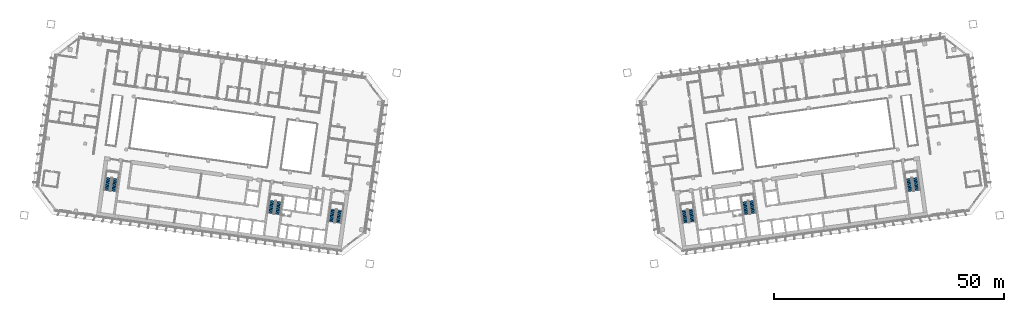
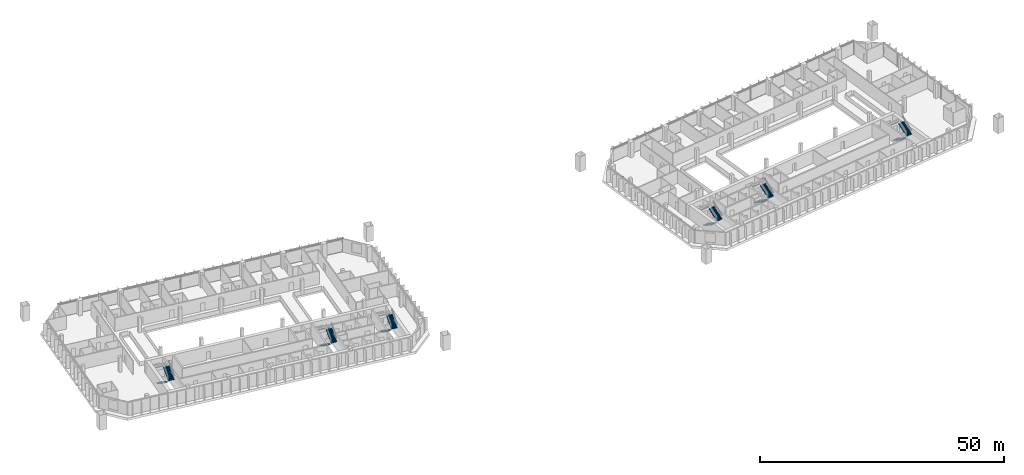
# One storey, part 22 of 25: 12 stair flights, 6 elements without a shape of their own.
"""IFC4 building model written with IfcOpenShell, lengths in metres."""

import ifcopenshell
import ifcopenshell.guid

model = None  # the IFC model being written
_history = None  # IfcOwnerHistory: only IFC2X3 demands one
_inside = {}  # id of a spatial element -> (the spatial element, [elements in it])
_under = {}  # id of a project, library or spatial element -> (it, [spatial elements below it])
_declared = {}  # id of a project -> (the project, [libraries it declares])
_typed = {}  # id of a type object -> (the type object, [elements of that type])
_made_of = {}  # id of a material, layer set ... -> (it, [elements and type objects made of it])


def new_model(schema):
    """Start an empty IFC model of exactly this schema.

    Asked for "IFC4X3", IfcOpenShell would pick the latest addendum, in which some entities
    have other attributes; the version numbers below select the first issue.
    IFC2X3 requires an IfcOwnerHistory on every rooted entity: one is made here for all.
    """
    global model, _history
    if schema == "IFC4X3":
        model = ifcopenshell.file(schema_version=(4, 3, 0, 0))
    else:
        model = ifcopenshell.file(schema=schema)
    _inside.clear()
    _under.clear()
    _declared.clear()
    _typed.clear()
    _made_of.clear()
    _history = None
    if model.schema == "IFC2X3":
        org = make("IfcOrganization", Name="unknown")
        user = make(
            "IfcPersonAndOrganization",
            ThePerson=make("IfcPerson", FamilyName="unknown"),
            TheOrganization=org,
        )
        app = make(
            "IfcApplication",
            ApplicationDeveloper=org,
            Version="unknown",
            ApplicationFullName="unknown",
            ApplicationIdentifier="unknown",
        )
        _history = make(
            "IfcOwnerHistory",
            OwningUser=user,
            OwningApplication=app,
            ChangeAction="ADDED",
            CreationDate=0,
        )
    return model


def make(cls, **values):
    """One entity of the class cls with the attributes given. An attribute that is None is left unset."""
    return model.create_entity(
        cls, **{name: value for name, value in values.items() if value is not None}
    )


def rooted(cls, **values):
    """An entity with a GlobalId (a new one), such as an element, a storey or a relation."""
    return make(cls, GlobalId=ifcopenshell.guid.new(), OwnerHistory=_history, **values)


def si_unit(unit_type, name, prefix=None):
    """IfcSIUnit, for example si_unit("LENGTHUNIT", "METRE", prefix="MILLI")."""
    return make("IfcSIUnit", UnitType=unit_type, Prefix=prefix, Name=name)


def assignment(units):
    """IfcUnitAssignment: the units of a project."""
    return None if units is None else make("IfcUnitAssignment", Units=units)


def point(xyz):
    """IfcCartesianPoint."""
    return None if xyz is None else make("IfcCartesianPoint", Coordinates=xyz)


def direction(xyz):
    """IfcDirection."""
    return None if xyz is None else make("IfcDirection", DirectionRatios=xyz)


def frame(location, z_axis=None, x_axis=None):
    """IfcAxis2Placement3D, a coordinate frame: its origin and axes. An axis left out is left unset."""
    return make(
        "IfcAxis2Placement3D",
        Location=point(location),
        Axis=direction(z_axis),
        RefDirection=direction(x_axis),
    )


def origin():
    """The frame at (0, 0, 0) with its axes left unset."""
    return frame((0.0, 0.0, 0.0))


def place(relative_to, where):
    """IfcLocalPlacement: puts the frame where relative to a parent placement (None: the world)."""
    return make(
        "IfcLocalPlacement", PlacementRelTo=relative_to, RelativePlacement=where
    )


def context(
    kind, dimensions, precision=None, world=None, true_north=None, identifier=None
):
    """IfcGeometricRepresentationContext, for example the 3D "Model" context."""
    return make(
        "IfcGeometricRepresentationContext",
        ContextIdentifier=identifier,
        ContextType=kind,
        CoordinateSpaceDimension=dimensions,
        Precision=precision,
        WorldCoordinateSystem=world,
        TrueNorth=true_north,
    )


def subcontext(parent, identifier, kind, view, scale=None):
    """IfcGeometricRepresentationSubContext, for example "Body" below "Model"."""
    return make(
        "IfcGeometricRepresentationSubContext",
        ContextIdentifier=identifier,
        ContextType=kind,
        ParentContext=parent,
        TargetScale=scale,
        TargetView=view,
    )


def project(units=None, contexts=None):
    """IfcProject with its units and contexts."""
    return rooted(
        "IfcProject",
        Name="project",
        RepresentationContexts=contexts,
        UnitsInContext=assignment(units),
    )


def spatial(cls, under=None, at=None, **own):
    """A site, building, storey or space (cls), placed at a placement, below another one or the project."""
    s = rooted(cls, ObjectPlacement=at, **own)
    if under is not None:
        _under.setdefault(under.id(), (under, []))[1].append(s)
    return s


def polyline(points):
    """IfcPolyline through the points."""
    return make("IfcPolyline", Points=[point(p) for p in points])


def outline(outer, holes=None, kind="AREA"):
    """IfcArbitraryClosedProfileDef: a profile drawn as a closed curve; with holes, ...WithVoids."""
    if holes is None:
        return make("IfcArbitraryClosedProfileDef", ProfileType=kind, OuterCurve=outer)
    return make(
        "IfcArbitraryProfileDefWithVoids",
        ProfileType=kind,
        OuterCurve=outer,
        InnerCurves=holes,
    )


def extrude(swept, where, along, depth):
    """IfcExtrudedAreaSolid: the profile swept, set in the frame where, extruded along a direction by depth."""
    return make(
        "IfcExtrudedAreaSolid",
        SweptArea=swept,
        Position=where,
        ExtrudedDirection=direction(along),
        Depth=depth,
    )


def shape(context_of_items, identifier, shape_type, items):
    """IfcShapeRepresentation: the items that make up one representation, for example the "Body"."""
    return make(
        "IfcShapeRepresentation",
        ContextOfItems=context_of_items,
        RepresentationIdentifier=identifier,
        RepresentationType=shape_type,
        Items=items,
    )


def material(Name=None, Category=None):
    """IfcMaterial."""
    return make("IfcMaterial", Name=Name, Category=Category)


def made_of(thing, what):
    """Note that an element or type object is made of a material, layer set ...; save() writes the relation."""
    if what is not None:
        _made_of.setdefault(what.id(), (what, []))[1].append(thing)
    return thing


def type_object(cls, material=None, **own):
    """A type object (cls), such as IfcWallType, which elements share."""
    return made_of(rooted(cls, **own), material)


def element(
    cls,
    number,
    at=None,
    inside=None,
    cuts=None,
    type_object=None,
    material=None,
    context=None,
    identifier="Body",
    shape_type=None,
    held_by="IfcProductDefinitionShape",
    body=None,
    shapes=None,
    **own,
):
    """One element of the class cls, such as IfcWall. Its Tag is "e" and its number.

    at: its placement. inside: the storey or other place that contains it. cuts: it is an
    opening in that element (IfcRelVoidsElement). A single representation is given by context,
    identifier, shape_type and body (its items); several are given by shapes. held_by: the class
    of the entity that holds the representations. save() writes the other relations.
    """
    e = rooted(cls, Tag="e%d" % number, ObjectPlacement=at, **own)
    if body is not None:
        shapes = [shape(context, identifier, shape_type, body)]
    if shapes is not None:
        e.Representation = make(held_by, Representations=shapes)
    if inside is not None:
        _inside.setdefault(inside.id(), (inside, []))[1].append(e)
    if cuts is not None:
        rooted(
            "IfcRelVoidsElement", RelatingBuildingElement=cuts, RelatedOpeningElement=e
        )
    if type_object is not None:
        _typed.setdefault(type_object.id(), (type_object, []))[1].append(e)
    return made_of(e, material)


def aggregate(whole, parts):
    """IfcRelAggregates: a whole, such as a stair, and the parts it consists of."""
    return rooted("IfcRelAggregates", RelatingObject=whole, RelatedObjects=parts)


def save(model, path):
    """Write the relations noted so far, then the file.

    IfcRelAggregates (storeys below a building ...), IfcRelContainedInSpatialStructure (elements
    in a storey), IfcRelDefinesByType, IfcRelAssociatesMaterial and IfcRelDeclares: one each for
    every whole, place, type object, material and project.
    """
    for whole, parts in _under.values():
        aggregate(whole, parts)
    for where, things in _inside.values():
        rooted(
            "IfcRelContainedInSpatialStructure",
            RelatedElements=things,
            RelatingStructure=where,
        )
    for kind, things in _typed.values():
        rooted("IfcRelDefinesByType", RelatedObjects=things, RelatingType=kind)
    for what, things in _made_of.values():
        rooted("IfcRelAssociatesMaterial", RelatedObjects=things, RelatingMaterial=what)
    for by, libraries in _declared.values():
        rooted("IfcRelDeclares", RelatingContext=by, RelatedDefinitions=libraries)
    model.write(path)


model = new_model("IFC4")

# Units and contexts
model_context = context("Model", 3, precision=1e-05, world=origin(), true_north=direction((0.0, 1.0)))
body_context = subcontext(model_context, "Body", "Model", "MODEL_VIEW")
ifc_project = project(units=[si_unit("LENGTHUNIT", "METRE"), si_unit("AREAUNIT", "SQUARE_METRE"), si_unit("VOLUMEUNIT", "CUBIC_METRE"), si_unit("PLANEANGLEUNIT", "RADIAN"), si_unit("MASSUNIT", "GRAM", prefix="KILO")], contexts=[model_context])

# Site, building, storey
site_placement = place(None, origin())
site = spatial("IfcSite", under=ifc_project, at=site_placement, CompositionType="ELEMENT")
building_placement = place(site_placement, origin())
building = spatial("IfcBuilding", under=site, at=building_placement, Name="Mirante Cascada Hotel Towers", CompositionType="ELEMENT")
storey_placement = place(building_placement, frame((0.0, 0.0, 136.7)))
storey = spatial("IfcBuildingStorey", under=building, at=storey_placement, Name="L31", CompositionType="ELEMENT", Elevation=136.7)

# Stair, stair flights
ifc_material_1 = material(Name="Concrete C35/45", Category="concrete")
stair_type = type_object("IfcStairType", Name="Exit stair half-turn 1350 concrete C35/45", PredefinedType="HALF_TURN_STAIR", material=ifc_material_1)
stair_1_placement = place(storey_placement, origin())
stair_1 = element("IfcStair", 1, at=stair_1_placement, inside=storey, type_object=stair_type, Name="L31 Exit stair A", PredefinedType="HALF_TURN_STAIR")
ifc_material_2 = material(Name="Concrete C35/45", Category="concrete")
stair_flight_type = type_object("IfcStairFlightType", Name="Exit stair flight 1350 concrete C35/45", PredefinedType="STRAIGHT", material=ifc_material_2)
stair_flight_1_placement = place(storey_placement, frame((-38.9417, -11.195, 0.0), z_axis=(0.0, 0.0, 1.0), x_axis=(-0.1391731, -0.9902681, 0.0)))
stair_flight_1 = element("IfcStairFlight", 2, at=stair_flight_1_placement, type_object=stair_flight_type, Name="ST1-A flight 1", NumberOfRisers=11, NumberOfTreads=10, PredefinedType="STRAIGHT", RiserHeight=0.172727273, TreadLength=0.28, context=body_context, shape_type="SweptSolid", body=[
    extrude(outline(polyline([(0.0, 0.0), (0.0, 0.1727), (0.28, 0.1727), (0.28, 0.3455), (0.56, 0.3455), (0.56, 0.5182), (0.84, 0.5182), (0.84, 0.6909), (1.12, 0.6909), (1.12, 0.8636), (1.4, 0.8636), (1.4, 1.0364), (1.68, 1.0364), (1.68, 1.2091), (1.96, 1.2091), (1.96, 1.3818), (2.24, 1.3818), (2.24, 1.5545), (2.52, 1.5545), (2.52, 1.7273), (2.8, 1.7273), (2.8, 1.9), (2.8, 1.551), (0.2857, 0.0), (0.0, 0.0)])), frame((0.0, 0.675, 0.0), z_axis=(0.0, -1.0, 0.0), x_axis=(1.0, 0.0, 0.0)), (0.0, 0.0, 1.0), 1.35),
])
stair_flight_2_placement = place(storey_placement, frame((-37.846, -14.1765, 1.9), z_axis=(0.0, 0.0, 1.0), x_axis=(0.1391731, 0.9902681, 0.0)))
stair_flight_2 = element("IfcStairFlight", 3, at=stair_flight_2_placement, type_object=stair_flight_type, Name="ST1-A flight 2", NumberOfRisers=11, NumberOfTreads=10, PredefinedType="STRAIGHT", RiserHeight=0.172727273, TreadLength=0.28, context=body_context, shape_type="SweptSolid", body=[
    extrude(outline(polyline([(0.0, 0.0), (0.0, 0.1727), (0.28, 0.1727), (0.28, 0.3455), (0.56, 0.3455), (0.56, 0.5182), (0.84, 0.5182), (0.84, 0.6909), (1.12, 0.6909), (1.12, 0.8636), (1.4, 0.8636), (1.4, 1.0364), (1.68, 1.0364), (1.68, 1.2091), (1.96, 1.2091), (1.96, 1.3818), (2.24, 1.3818), (2.24, 1.5545), (2.52, 1.5545), (2.52, 1.7273), (2.8, 1.7273), (2.8, 1.9), (2.8, 1.551), (0.2857, 0.0), (0.0, 0.0)])), frame((0.0, 0.675, 0.0), z_axis=(0.0, -1.0, 0.0), x_axis=(1.0, 0.0, 0.0)), (0.0, 0.0, 1.0), 1.35),
])
aggregate(stair_1, [stair_flight_1, stair_flight_2])

stair_2_placement = place(storey_placement, origin())
stair_2 = element("IfcStair", 4, at=stair_2_placement, inside=storey, type_object=stair_type, Name="L31 Exit stair B", PredefinedType="HALF_TURN_STAIR")
stair_flight_3_placement = place(storey_placement, frame((-52.1618, -9.3371, 0.0), z_axis=(0.0, 0.0, 1.0), x_axis=(-0.1391731, -0.9902681, 0.0)))
stair_flight_3 = element("IfcStairFlight", 5, at=stair_flight_3_placement, type_object=stair_flight_type, Name="ST1-B flight 1", NumberOfRisers=11, NumberOfTreads=10, PredefinedType="STRAIGHT", RiserHeight=0.172727273, TreadLength=0.28, context=body_context, shape_type="SweptSolid", body=[
    extrude(outline(polyline([(0.0, 0.0), (0.0, 0.1727), (0.28, 0.1727), (0.28, 0.3455), (0.56, 0.3455), (0.56, 0.5182), (0.84, 0.5182), (0.84, 0.6909), (1.12, 0.6909), (1.12, 0.8636), (1.4, 0.8636), (1.4, 1.0364), (1.68, 1.0364), (1.68, 1.2091), (1.96, 1.2091), (1.96, 1.3818), (2.24, 1.3818), (2.24, 1.5545), (2.52, 1.5545), (2.52, 1.7273), (2.8, 1.7273), (2.8, 1.9), (2.8, 1.551), (0.2857, 0.0), (0.0, 0.0)])), frame((0.0, 0.675, 0.0), z_axis=(0.0, -1.0, 0.0), x_axis=(1.0, 0.0, 0.0)), (0.0, 0.0, 1.0), 1.35),
])
stair_flight_4_placement = place(storey_placement, frame((-51.0661, -12.3186, 1.9), z_axis=(0.0, 0.0, 1.0), x_axis=(0.1391731, 0.9902681, 0.0)))
stair_flight_4 = element("IfcStairFlight", 6, at=stair_flight_4_placement, type_object=stair_flight_type, Name="ST1-B flight 2", NumberOfRisers=11, NumberOfTreads=10, PredefinedType="STRAIGHT", RiserHeight=0.172727273, TreadLength=0.28, context=body_context, shape_type="SweptSolid", body=[
    extrude(outline(polyline([(0.0, 0.0), (0.0, 0.1727), (0.28, 0.1727), (0.28, 0.3455), (0.56, 0.3455), (0.56, 0.5182), (0.84, 0.5182), (0.84, 0.6909), (1.12, 0.6909), (1.12, 0.8636), (1.4, 0.8636), (1.4, 1.0364), (1.68, 1.0364), (1.68, 1.2091), (1.96, 1.2091), (1.96, 1.3818), (2.24, 1.3818), (2.24, 1.5545), (2.52, 1.5545), (2.52, 1.7273), (2.8, 1.7273), (2.8, 1.9), (2.8, 1.551), (0.2857, 0.0), (0.0, 0.0)])), frame((0.0, 0.675, 0.0), z_axis=(0.0, -1.0, 0.0), x_axis=(1.0, 0.0, 0.0)), (0.0, 0.0, 1.0), 1.35),
])
aggregate(stair_2, [stair_flight_3, stair_flight_4])

stair_3_placement = place(storey_placement, origin())
stair_3 = element("IfcStair", 7, at=stair_3_placement, inside=storey, type_object=stair_type, Name="L31 Exit stair C", PredefinedType="HALF_TURN_STAIR")
stair_flight_5_placement = place(storey_placement, frame((-87.8115, -4.3268, 0.0), z_axis=(0.0, 0.0, 1.0), x_axis=(-0.1391731, -0.9902681, 0.0)))
stair_flight_5 = element("IfcStairFlight", 8, at=stair_flight_5_placement, type_object=stair_flight_type, Name="ST1-C flight 1", NumberOfRisers=11, NumberOfTreads=10, PredefinedType="STRAIGHT", RiserHeight=0.172727273, TreadLength=0.28, context=body_context, shape_type="SweptSolid", body=[
    extrude(outline(polyline([(0.0, 0.0), (0.0, 0.1727), (0.28, 0.1727), (0.28, 0.3455), (0.56, 0.3455), (0.56, 0.5182), (0.84, 0.5182), (0.84, 0.6909), (1.12, 0.6909), (1.12, 0.8636), (1.4, 0.8636), (1.4, 1.0364), (1.68, 1.0364), (1.68, 1.2091), (1.96, 1.2091), (1.96, 1.3818), (2.24, 1.3818), (2.24, 1.5545), (2.52, 1.5545), (2.52, 1.7273), (2.8, 1.7273), (2.8, 1.9), (2.8, 1.551), (0.2857, 0.0), (0.0, 0.0)])), frame((0.0, 0.675, 0.0), z_axis=(0.0, -1.0, 0.0), x_axis=(1.0, 0.0, 0.0)), (0.0, 0.0, 1.0), 1.35),
])
stair_flight_6_placement = place(storey_placement, frame((-86.7157, -7.3084, 1.9), z_axis=(0.0, 0.0, 1.0), x_axis=(0.1391731, 0.9902681, 0.0)))
stair_flight_6 = element("IfcStairFlight", 9, at=stair_flight_6_placement, type_object=stair_flight_type, Name="ST1-C flight 2", NumberOfRisers=11, NumberOfTreads=10, PredefinedType="STRAIGHT", RiserHeight=0.172727273, TreadLength=0.28, context=body_context, shape_type="SweptSolid", body=[
    extrude(outline(polyline([(0.0, 0.0), (0.0, 0.1727), (0.28, 0.1727), (0.28, 0.3455), (0.56, 0.3455), (0.56, 0.5182), (0.84, 0.5182), (0.84, 0.6909), (1.12, 0.6909), (1.12, 0.8636), (1.4, 0.8636), (1.4, 1.0364), (1.68, 1.0364), (1.68, 1.2091), (1.96, 1.2091), (1.96, 1.3818), (2.24, 1.3818), (2.24, 1.5545), (2.52, 1.5545), (2.52, 1.7273), (2.8, 1.7273), (2.8, 1.9), (2.8, 1.551), (0.2857, 0.0), (0.0, 0.0)])), frame((0.0, 0.675, 0.0), z_axis=(0.0, -1.0, 0.0), x_axis=(1.0, 0.0, 0.0)), (0.0, 0.0, 1.0), 1.35),
])
aggregate(stair_3, [stair_flight_5, stair_flight_6])

stair_4_placement = place(storey_placement, origin())
stair_4 = element("IfcStair", 10, at=stair_4_placement, inside=storey, type_object=stair_type, Name="L31 Exit stair A", PredefinedType="HALF_TURN_STAIR")
stair_flight_7_placement = place(storey_placement, frame((37.4563, -11.4038, 0.0), z_axis=(0.0, 0.0, 1.0), x_axis=(0.1391731, -0.9902681, 0.0)))
stair_flight_7 = element("IfcStairFlight", 11, at=stair_flight_7_placement, type_object=stair_flight_type, Name="ST2-A flight 1", NumberOfRisers=11, NumberOfTreads=10, PredefinedType="STRAIGHT", RiserHeight=0.172727273, TreadLength=0.28, context=body_context, shape_type="SweptSolid", body=[
    extrude(outline(polyline([(0.0, 0.0), (0.0, 0.1727), (0.28, 0.1727), (0.28, 0.3455), (0.56, 0.3455), (0.56, 0.5182), (0.84, 0.5182), (0.84, 0.6909), (1.12, 0.6909), (1.12, 0.8636), (1.4, 0.8636), (1.4, 1.0364), (1.68, 1.0364), (1.68, 1.2091), (1.96, 1.2091), (1.96, 1.3818), (2.24, 1.3818), (2.24, 1.5545), (2.52, 1.5545), (2.52, 1.7273), (2.8, 1.7273), (2.8, 1.9), (2.8, 1.551), (0.2857, 0.0), (0.0, 0.0)])), frame((0.0, 0.675, 0.0), z_axis=(0.0, -1.0, 0.0), x_axis=(1.0, 0.0, 0.0)), (0.0, 0.0, 1.0), 1.35),
])
stair_flight_8_placement = place(storey_placement, frame((39.3314, -13.9678, 1.9), z_axis=(0.0, 0.0, 1.0), x_axis=(-0.1391731, 0.9902681, 0.0)))
stair_flight_8 = element("IfcStairFlight", 12, at=stair_flight_8_placement, type_object=stair_flight_type, Name="ST2-A flight 2", NumberOfRisers=11, NumberOfTreads=10, PredefinedType="STRAIGHT", RiserHeight=0.172727273, TreadLength=0.28, context=body_context, shape_type="SweptSolid", body=[
    extrude(outline(polyline([(0.0, 0.0), (0.0, 0.1727), (0.28, 0.1727), (0.28, 0.3455), (0.56, 0.3455), (0.56, 0.5182), (0.84, 0.5182), (0.84, 0.6909), (1.12, 0.6909), (1.12, 0.8636), (1.4, 0.8636), (1.4, 1.0364), (1.68, 1.0364), (1.68, 1.2091), (1.96, 1.2091), (1.96, 1.3818), (2.24, 1.3818), (2.24, 1.5545), (2.52, 1.5545), (2.52, 1.7273), (2.8, 1.7273), (2.8, 1.9), (2.8, 1.551), (0.2857, 0.0), (0.0, 0.0)])), frame((0.0, 0.675, 0.0), z_axis=(0.0, -1.0, 0.0), x_axis=(1.0, 0.0, 0.0)), (0.0, 0.0, 1.0), 1.35),
])
aggregate(stair_4, [stair_flight_7, stair_flight_8])

stair_5_placement = place(storey_placement, origin())
stair_5 = element("IfcStair", 13, at=stair_5_placement, inside=storey, type_object=stair_type, Name="L31 Exit stair B", PredefinedType="HALF_TURN_STAIR")
stair_flight_9_placement = place(storey_placement, frame((50.6764, -9.5458, 0.0), z_axis=(0.0, 0.0, 1.0), x_axis=(0.1391731, -0.9902681, 0.0)))
stair_flight_9 = element("IfcStairFlight", 14, at=stair_flight_9_placement, type_object=stair_flight_type, Name="ST2-B flight 1", NumberOfRisers=11, NumberOfTreads=10, PredefinedType="STRAIGHT", RiserHeight=0.172727273, TreadLength=0.28, context=body_context, shape_type="SweptSolid", body=[
    extrude(outline(polyline([(0.0, 0.0), (0.0, 0.1727), (0.28, 0.1727), (0.28, 0.3455), (0.56, 0.3455), (0.56, 0.5182), (0.84, 0.5182), (0.84, 0.6909), (1.12, 0.6909), (1.12, 0.8636), (1.4, 0.8636), (1.4, 1.0364), (1.68, 1.0364), (1.68, 1.2091), (1.96, 1.2091), (1.96, 1.3818), (2.24, 1.3818), (2.24, 1.5545), (2.52, 1.5545), (2.52, 1.7273), (2.8, 1.7273), (2.8, 1.9), (2.8, 1.551), (0.2857, 0.0), (0.0, 0.0)])), frame((0.0, 0.675, 0.0), z_axis=(0.0, -1.0, 0.0), x_axis=(1.0, 0.0, 0.0)), (0.0, 0.0, 1.0), 1.35),
])
stair_flight_10_placement = place(storey_placement, frame((52.5515, -12.1098, 1.9), z_axis=(0.0, 0.0, 1.0), x_axis=(-0.1391731, 0.9902681, 0.0)))
stair_flight_10 = element("IfcStairFlight", 15, at=stair_flight_10_placement, type_object=stair_flight_type, Name="ST2-B flight 2", NumberOfRisers=11, NumberOfTreads=10, PredefinedType="STRAIGHT", RiserHeight=0.172727273, TreadLength=0.28, context=body_context, shape_type="SweptSolid", body=[
    extrude(outline(polyline([(0.0, 0.0), (0.0, 0.1727), (0.28, 0.1727), (0.28, 0.3455), (0.56, 0.3455), (0.56, 0.5182), (0.84, 0.5182), (0.84, 0.6909), (1.12, 0.6909), (1.12, 0.8636), (1.4, 0.8636), (1.4, 1.0364), (1.68, 1.0364), (1.68, 1.2091), (1.96, 1.2091), (1.96, 1.3818), (2.24, 1.3818), (2.24, 1.5545), (2.52, 1.5545), (2.52, 1.7273), (2.8, 1.7273), (2.8, 1.9), (2.8, 1.551), (0.2857, 0.0), (0.0, 0.0)])), frame((0.0, 0.675, 0.0), z_axis=(0.0, -1.0, 0.0), x_axis=(1.0, 0.0, 0.0)), (0.0, 0.0, 1.0), 1.35),
])
aggregate(stair_5, [stair_flight_9, stair_flight_10])

stair_6_placement = place(storey_placement, origin())
stair_6 = element("IfcStair", 16, at=stair_6_placement, inside=storey, type_object=stair_type, Name="L31 Exit stair C", PredefinedType="HALF_TURN_STAIR")
stair_flight_11_placement = place(storey_placement, frame((86.326, -4.5356, 0.0), z_axis=(0.0, 0.0, 1.0), x_axis=(0.1391731, -0.9902681, 0.0)))
stair_flight_11 = element("IfcStairFlight", 17, at=stair_flight_11_placement, type_object=stair_flight_type, Name="ST2-C flight 1", NumberOfRisers=11, NumberOfTreads=10, PredefinedType="STRAIGHT", RiserHeight=0.172727273, TreadLength=0.28, context=body_context, shape_type="SweptSolid", body=[
    extrude(outline(polyline([(0.0, 0.0), (0.0, 0.1727), (0.28, 0.1727), (0.28, 0.3455), (0.56, 0.3455), (0.56, 0.5182), (0.84, 0.5182), (0.84, 0.6909), (1.12, 0.6909), (1.12, 0.8636), (1.4, 0.8636), (1.4, 1.0364), (1.68, 1.0364), (1.68, 1.2091), (1.96, 1.2091), (1.96, 1.3818), (2.24, 1.3818), (2.24, 1.5545), (2.52, 1.5545), (2.52, 1.7273), (2.8, 1.7273), (2.8, 1.9), (2.8, 1.551), (0.2857, 0.0), (0.0, 0.0)])), frame((0.0, 0.675, 0.0), z_axis=(0.0, -1.0, 0.0), x_axis=(1.0, 0.0, 0.0)), (0.0, 0.0, 1.0), 1.35),
])
stair_flight_12_placement = place(storey_placement, frame((88.2011, -7.0996, 1.9), z_axis=(0.0, 0.0, 1.0), x_axis=(-0.1391731, 0.9902681, 0.0)))
stair_flight_12 = element("IfcStairFlight", 18, at=stair_flight_12_placement, type_object=stair_flight_type, Name="ST2-C flight 2", NumberOfRisers=11, NumberOfTreads=10, PredefinedType="STRAIGHT", RiserHeight=0.172727273, TreadLength=0.28, context=body_context, shape_type="SweptSolid", body=[
    extrude(outline(polyline([(0.0, 0.0), (0.0, 0.1727), (0.28, 0.1727), (0.28, 0.3455), (0.56, 0.3455), (0.56, 0.5182), (0.84, 0.5182), (0.84, 0.6909), (1.12, 0.6909), (1.12, 0.8636), (1.4, 0.8636), (1.4, 1.0364), (1.68, 1.0364), (1.68, 1.2091), (1.96, 1.2091), (1.96, 1.3818), (2.24, 1.3818), (2.24, 1.5545), (2.52, 1.5545), (2.52, 1.7273), (2.8, 1.7273), (2.8, 1.9), (2.8, 1.551), (0.2857, 0.0), (0.0, 0.0)])), frame((0.0, 0.675, 0.0), z_axis=(0.0, -1.0, 0.0), x_axis=(1.0, 0.0, 0.0)), (0.0, 0.0, 1.0), 1.35),
])
aggregate(stair_6, [stair_flight_11, stair_flight_12])

save(model, "model.ifc")
